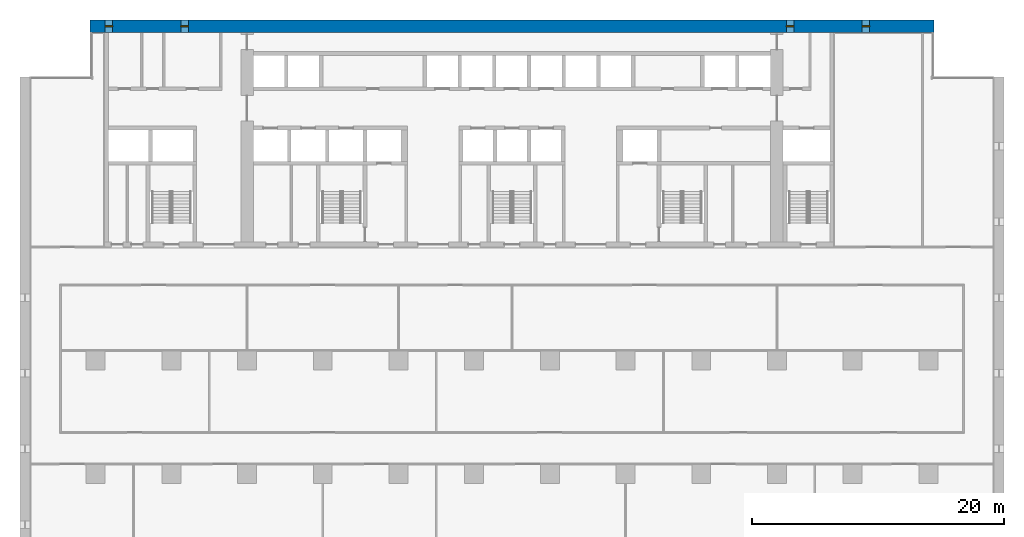
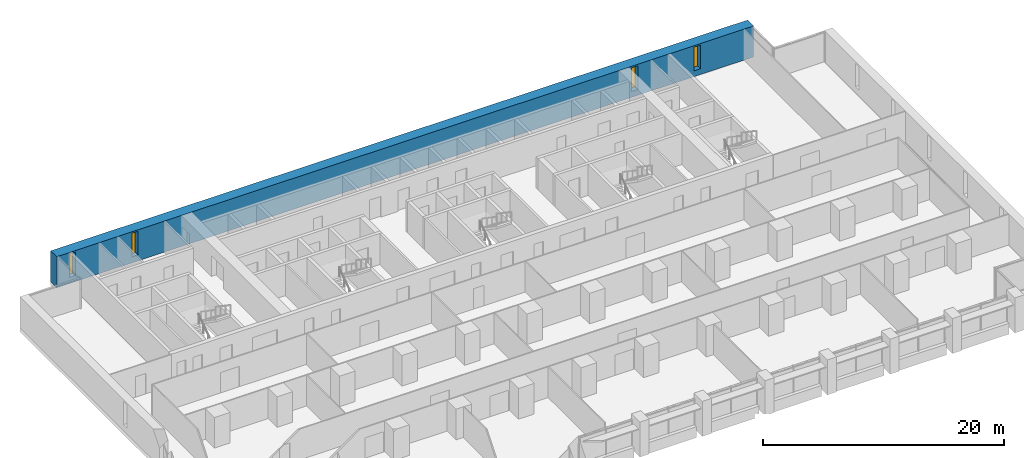
# One storey, part 12 of 18: 4 windows, 1 wall, 4 openings.
"""IFC4 building model written with IfcOpenShell, lengths in metres."""

from ifc_helpers import new_model, si_unit, direction, frame, frame_2d, origin, place, context, subcontext, project, spatial, rectangle, extrude, material, layer, layer_set, type_object, element, fill, save


model = new_model("IFC4")

# Units and contexts
model_context = context("Model", 3, precision=1e-05, world=origin(), true_north=direction((0.0, 1.0)))
body_context = subcontext(model_context, "Body", "Model", "MODEL_VIEW")
ifc_project = project(units=[si_unit("LENGTHUNIT", "METRE"), si_unit("AREAUNIT", "SQUARE_METRE"), si_unit("VOLUMEUNIT", "CUBIC_METRE"), si_unit("PLANEANGLEUNIT", "RADIAN"), si_unit("MASSUNIT", "GRAM", prefix="KILO")], contexts=[model_context])

# Site, building, storey
site_placement = place(None, origin())
site = spatial("IfcSite", under=ifc_project, at=site_placement, CompositionType="ELEMENT")
building_placement = place(site_placement, origin())
building = spatial("IfcBuilding", under=site, at=building_placement, Name="Calvaro Tower", CompositionType="ELEMENT")
storey_placement = place(building_placement, frame((0.0, 0.0, 86.25)))
storey = spatial("IfcBuildingStorey", under=building, at=storey_placement, Name="L21", CompositionType="ELEMENT", Elevation=86.25)

# Wall, openings, windows
ifc_material_1 = material(Name="Concrete C80/95", Category="concrete")
ifc_layer = layer(ifc_material_1, 1.0)
ifc_layer_set = layer_set([ifc_layer], Name="Concrete C80/95")
wall_type = type_object("IfcWallType", Name="Rear core wall 1000 C80/95", PredefinedType="SHEAR", material=ifc_layer_set)
wall_placement = place(storey_placement, frame((5.550048828125, 45.5, 0.0), z_axis=(0.0, 0.0, 1.0), x_axis=(1.0, 0.0, 0.0)))
wall = element("IfcWall", 1, at=wall_placement, inside=storey, type_object=wall_type, Name="North core wall", PredefinedType="SHEAR", context=body_context, shape_type="SweptSolid", body=[
    extrude(rectangle(XDim=66.89990234375, YDim=1.0, at=frame_2d((33.449951171875, 0.0))), origin(), (0.0, 0.0, 1.0), 3.14990234375),
])
opening_1_placement = place(wall_placement, frame((1.199951171875, 0.0, 0.60009765625)))
opening_1 = element("IfcOpeningElement", 2, at=opening_1_placement, cuts=wall, Name="Opening WN01", PredefinedType="OPENING", context=body_context, shape_type="SweptSolid", body=[
    extrude(rectangle(XDim=0.60009765625, YDim=2.39990234375, at=frame_2d((0.300048828125, 1.199951171875))), frame((0.0, 0.510009765625, 0.0), z_axis=(0.0, -1.0, 0.0), x_axis=(1.0, 0.0, 0.0)), (0.0, 0.0, 1.0), 1.02001953125),
])
opening_2_placement = place(wall_placement, frame((7.199951171875, 0.0, 0.60009765625)))
opening_2 = element("IfcOpeningElement", 3, at=opening_2_placement, cuts=wall, Name="Opening WN02", PredefinedType="OPENING", context=body_context, shape_type="SweptSolid", body=[
    extrude(rectangle(XDim=0.60009765625, YDim=2.39990234375, at=frame_2d((0.300048828125, 1.199951171875))), frame((0.0, 0.510009765625, 0.0), z_axis=(0.0, -1.0, 0.0), x_axis=(1.0, 0.0, 0.0)), (0.0, 0.0, 1.0), 1.02001953125),
])
opening_3_placement = place(wall_placement, frame((55.199951171875, 0.0, 0.60009765625)))
opening_3 = element("IfcOpeningElement", 4, at=opening_3_placement, cuts=wall, Name="Opening WN10", PredefinedType="OPENING", context=body_context, shape_type="SweptSolid", body=[
    extrude(rectangle(XDim=0.60009765625, YDim=2.39990234375, at=frame_2d((0.300048828125, 1.199951171875))), frame((0.0, 0.510009765625, 0.0), z_axis=(0.0, -1.0, 0.0), x_axis=(1.0, 0.0, 0.0)), (0.0, 0.0, 1.0), 1.02001953125),
])
opening_4_placement = place(wall_placement, frame((61.199951171875, 0.0, 0.60009765625)))
opening_4 = element("IfcOpeningElement", 5, at=opening_4_placement, cuts=wall, Name="Opening WN11", PredefinedType="OPENING", context=body_context, shape_type="SweptSolid", body=[
    extrude(rectangle(XDim=0.60009765625, YDim=2.39990234375, at=frame_2d((0.300048828125, 1.199951171875))), frame((0.0, 0.510009765625, 0.0), z_axis=(0.0, -1.0, 0.0), x_axis=(1.0, 0.0, 0.0)), (0.0, 0.0, 1.0), 1.02001953125),
])
ifc_material_2 = material(Name="Glass", Category="glass")
window_type = type_object("IfcWindowType", Name="Slit window 600 x 2400", PartitioningType="SINGLE_PANEL", PredefinedType="WINDOW", material=ifc_material_2)
window_1_placement = place(opening_1_placement, origin())
window_1 = element("IfcWindow", 6, at=window_1_placement, inside=storey, type_object=window_type, Name="Window WN01", OverallHeight=2.39990234375, OverallWidth=0.60009765625, PartitioningType="SINGLE_PANEL", PredefinedType="WINDOW", context=body_context, shape_type="SweptSolid", body=[
    extrude(rectangle(XDim=0.60009765625, YDim=2.39990234375, at=frame_2d((0.300048828125, 1.199951171875))), frame((0.0, 0.030029296875, 0.0), z_axis=(0.0, -1.0, 0.0), x_axis=(1.0, 0.0, 0.0)), (0.0, 0.0, 1.0), 0.06005859375),
])
fill(opening_1, window_1)
window_2_placement = place(opening_2_placement, origin())
window_2 = element("IfcWindow", 7, at=window_2_placement, inside=storey, type_object=window_type, Name="Window WN02", OverallHeight=2.39990234375, OverallWidth=0.60009765625, PartitioningType="SINGLE_PANEL", PredefinedType="WINDOW", context=body_context, shape_type="SweptSolid", body=[
    extrude(rectangle(XDim=0.60009765625, YDim=2.39990234375, at=frame_2d((0.300048828125, 1.199951171875))), frame((0.0, 0.030029296875, 0.0), z_axis=(0.0, -1.0, 0.0), x_axis=(1.0, 0.0, 0.0)), (0.0, 0.0, 1.0), 0.06005859375),
])
fill(opening_2, window_2)
window_3_placement = place(opening_3_placement, origin())
window_3 = element("IfcWindow", 8, at=window_3_placement, inside=storey, type_object=window_type, Name="Window WN10", OverallHeight=2.39990234375, OverallWidth=0.60009765625, PartitioningType="SINGLE_PANEL", PredefinedType="WINDOW", context=body_context, shape_type="SweptSolid", body=[
    extrude(rectangle(XDim=0.60009765625, YDim=2.39990234375, at=frame_2d((0.300048828125, 1.199951171875))), frame((0.0, 0.030029296875, 0.0), z_axis=(0.0, -1.0, 0.0), x_axis=(1.0, 0.0, 0.0)), (0.0, 0.0, 1.0), 0.06005859375),
])
fill(opening_3, window_3)
window_4_placement = place(opening_4_placement, origin())
window_4 = element("IfcWindow", 9, at=window_4_placement, inside=storey, type_object=window_type, Name="Window WN11", OverallHeight=2.39990234375, OverallWidth=0.60009765625, PartitioningType="SINGLE_PANEL", PredefinedType="WINDOW", context=body_context, shape_type="SweptSolid", body=[
    extrude(rectangle(XDim=0.60009765625, YDim=2.39990234375, at=frame_2d((0.300048828125, 1.199951171875))), frame((0.0, 0.030029296875, 0.0), z_axis=(0.0, -1.0, 0.0), x_axis=(1.0, 0.0, 0.0)), (0.0, 0.0, 1.0), 0.06005859375),
])
fill(opening_4, window_4)

save(model, "model.ifc")
